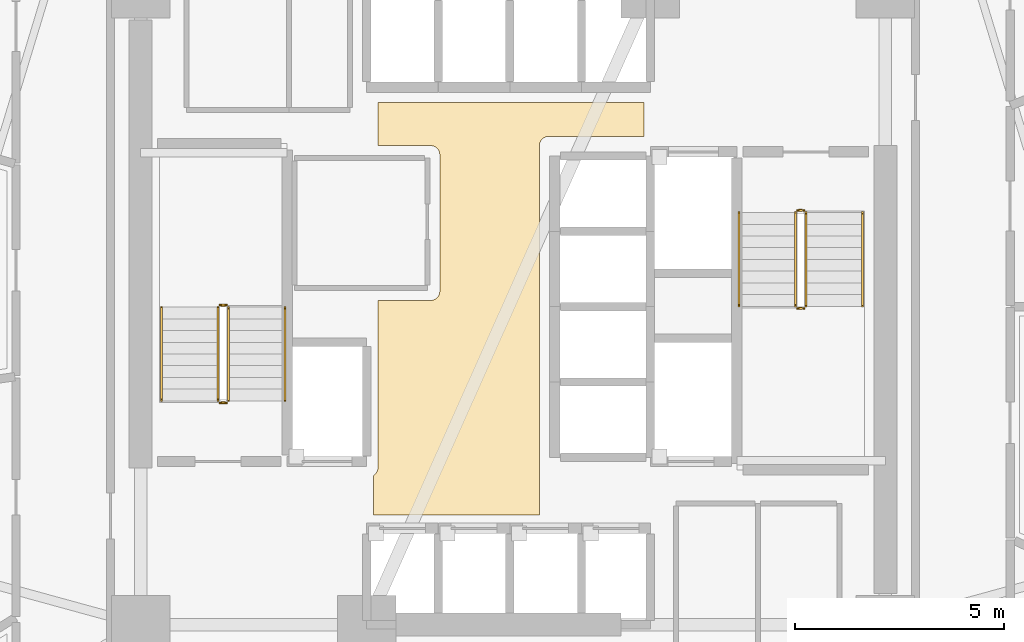
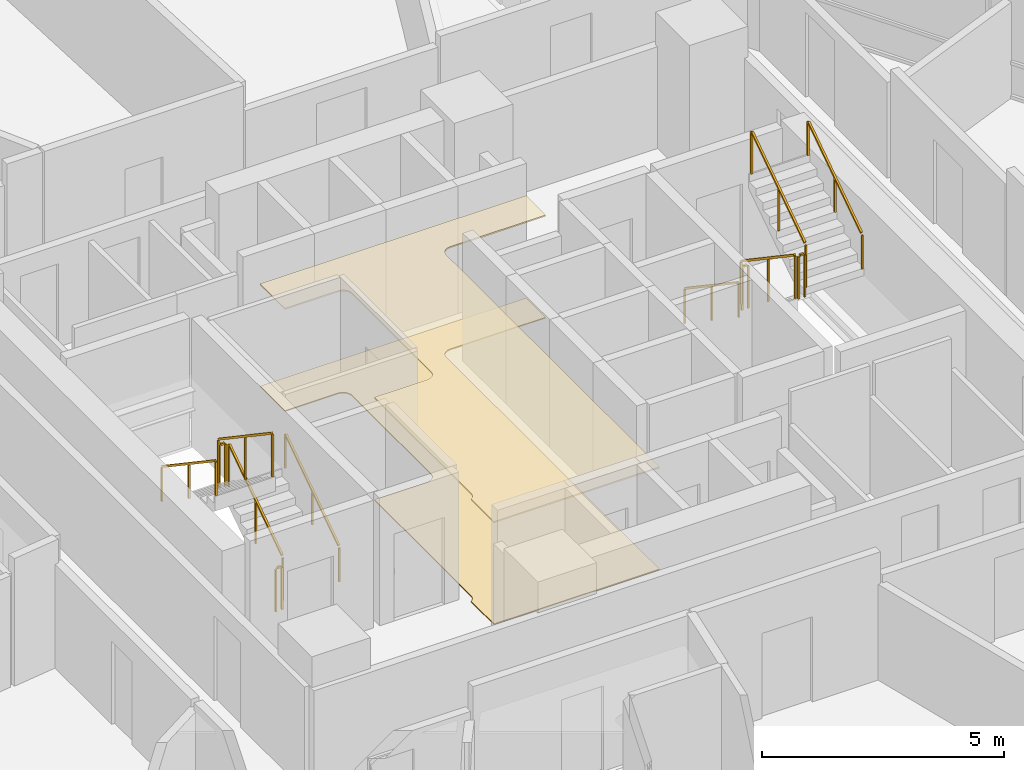
# One storey, part 15 of 16: 12 railings, 2 coverings.
"""IFC4 building model written with IfcOpenShell, lengths in metres."""

from ifc_helpers import new_model, si_unit, direction, frame, origin, origin_2d, place, context, subcontext, project, spatial, polyline, rectangle, outline, extrude, material, layer, layer_set, type_object, element, save


model = new_model("IFC4")

# Units and contexts
model_context = context("Model", 3, precision=1e-05, world=origin(), true_north=direction((0.0, 1.0)))
body_context = subcontext(model_context, "Body", "Model", "MODEL_VIEW")
ifc_project = project(units=[si_unit("LENGTHUNIT", "METRE"), si_unit("AREAUNIT", "SQUARE_METRE"), si_unit("VOLUMEUNIT", "CUBIC_METRE"), si_unit("PLANEANGLEUNIT", "RADIAN"), si_unit("MASSUNIT", "GRAM", prefix="KILO")], contexts=[model_context])

# Site, building, storey
site_placement = place(None, origin())
site = spatial("IfcSite", under=ifc_project, at=site_placement, CompositionType="ELEMENT")
building_placement = place(site_placement, origin())
building = spatial("IfcBuilding", under=site, at=building_placement, Name="Tharavind Bronze Gate", CompositionType="ELEMENT")
storey_placement = place(building_placement, frame((0.0, 0.0, 42.050048828125)))
storey = spatial("IfcBuildingStorey", under=building, at=storey_placement, Name="L09", CompositionType="ELEMENT", Elevation=42.050048828125)

# Coverings
ifc_material_1 = material(Name="Perforated Bronze Acoustic Panel", Category="bronze")
ifc_layer_1 = layer(ifc_material_1, 0.044921875)
ifc_layer_set_1 = layer_set([ifc_layer_1], Name="Perforated Bronze Acoustic Panel")
covering_type_1 = type_object("IfcCoveringType", Name="ACOUSTIC BRONZE BAFFLE CEILING", PredefinedType="CEILING", material=ifc_layer_set_1)
covering_1_placement = place(storey_placement, frame((0.0, 0.0, 2.574951171875)))
element("IfcCovering", 1, at=covering_1_placement, inside=storey, type_object=covering_type_1, Name="L09-C-LL suspended ceiling", PredefinedType="CEILING", context=body_context, shape_type="SweptSolid", body=[
    extrude(outline(polyline([(-3.330078125, -4.97998046875), (0.6298828125, -4.97998046875), (0.6298828125, 3.85009765625), (0.631103515625, 3.87158203125), (0.63427734375, 3.892822265625), (0.639404296875, 3.913818359375), (0.646728515625, 3.93408203125), (0.656005859375, 3.95361328125), (0.6669921875, 3.97216796875), (0.679931640625, 3.989501953125), (0.6943359375, 4.005615234375), (0.71044921875, 4.02001953125), (0.727783203125, 4.032958984375), (0.746337890625, 4.0439453125), (0.765869140625, 4.05322265625), (0.7861328125, 4.060546875), (0.80712890625, 4.06591796875), (0.828369140625, 4.06884765625), (0.85009765625, 4.070068359375), (3.1298828125, 4.070068359375), (3.1298828125, 4.8798828125), (-3.22998046875, 4.8798828125), (-3.22998046875, 3.85009765625), (-1.969970703125, 3.85009765625), (-1.948486328125, 3.848876953125), (-1.927001953125, 3.845703125), (-1.906005859375, 3.840576171875), (-1.8857421875, 3.833251953125), (-1.8662109375, 3.823974609375), (-1.847900390625, 3.81298828125), (-1.830322265625, 3.800048828125), (-1.814453125, 3.78564453125), (-1.7998046875, 3.76953125), (-1.787109375, 3.752197265625), (-1.77587890625, 3.733642578125), (-1.7666015625, 3.714111328125), (-1.759521484375, 3.69384765625), (-1.754150390625, 3.6728515625), (-1.751220703125, 3.651611328125), (-1.75, 3.6298828125), (-1.75, 0.3701171875), (-1.751220703125, 0.348388671875), (-1.754150390625, 0.3271484375), (-1.759521484375, 0.30615234375), (-1.7666015625, 0.285888671875), (-1.77587890625, 0.266357421875), (-1.787109375, 0.247802734375), (-1.7998046875, 0.23046875), (-1.814453125, 0.21435546875), (-1.830322265625, 0.199951171875), (-1.847900390625, 0.18701171875), (-1.8662109375, 0.176025390625), (-1.8857421875, 0.166748046875), (-1.906005859375, 0.159423828125), (-1.927001953125, 0.154296875), (-1.948486328125, 0.151123046875), (-1.969970703125, 0.14990234375), (-3.22998046875, 0.14990234375), (-3.22998046875, -3.85009765625), (-3.231201171875, -3.87158203125), (-3.234130859375, -3.892822265625), (-3.239501953125, -3.913818359375), (-3.24658203125, -3.93408203125), (-3.256103515625, -3.95361328125), (-3.26708984375, -3.97216796875), (-3.27978515625, -3.989501953125), (-3.29443359375, -4.005615234375), (-3.310302734375, -4.02001953125), (-3.327880859375, -4.032958984375), (-3.330078125, -4.0341796875), (-3.330078125, -4.97998046875)])), origin(), (0.0, 0.0, 1.0), 0.034912109375),
])
ifc_material_2 = material(Name="Honed Travertine Limestone", Category="masonry")
ifc_layer_2 = layer(ifc_material_2, 0.030029296875)
ifc_layer_set_2 = layer_set([ifc_layer_2], Name="Honed Travertine Limestone")
covering_type_2 = type_object("IfcCoveringType", Name="HONED LIMESTONE FLOORING", PredefinedType="FLOORING", material=ifc_layer_set_2)
covering_2_placement = place(storey_placement, origin())
element("IfcCovering", 2, at=covering_2_placement, inside=storey, type_object=covering_type_2, Name="L09-C-LL floor finish", PredefinedType="FLOORING", context=body_context, shape_type="SweptSolid", body=[
    extrude(outline(polyline([(-3.330078125, -4.97998046875), (0.6298828125, -4.97998046875), (0.6298828125, 3.85009765625), (0.631103515625, 3.87158203125), (0.63427734375, 3.892822265625), (0.639404296875, 3.913818359375), (0.646728515625, 3.93408203125), (0.656005859375, 3.95361328125), (0.6669921875, 3.97216796875), (0.679931640625, 3.989501953125), (0.6943359375, 4.005615234375), (0.71044921875, 4.02001953125), (0.727783203125, 4.032958984375), (0.746337890625, 4.0439453125), (0.765869140625, 4.05322265625), (0.7861328125, 4.060546875), (0.80712890625, 4.06591796875), (0.828369140625, 4.06884765625), (0.85009765625, 4.070068359375), (3.1298828125, 4.070068359375), (3.1298828125, 4.8798828125), (-3.22998046875, 4.8798828125), (-3.22998046875, 3.85009765625), (-1.969970703125, 3.85009765625), (-1.948486328125, 3.848876953125), (-1.927001953125, 3.845703125), (-1.906005859375, 3.840576171875), (-1.8857421875, 3.833251953125), (-1.8662109375, 3.823974609375), (-1.847900390625, 3.81298828125), (-1.830322265625, 3.800048828125), (-1.814453125, 3.78564453125), (-1.7998046875, 3.76953125), (-1.787109375, 3.752197265625), (-1.77587890625, 3.733642578125), (-1.7666015625, 3.714111328125), (-1.759521484375, 3.69384765625), (-1.754150390625, 3.6728515625), (-1.751220703125, 3.651611328125), (-1.75, 3.6298828125), (-1.75, 0.3701171875), (-1.751220703125, 0.348388671875), (-1.754150390625, 0.3271484375), (-1.759521484375, 0.30615234375), (-1.7666015625, 0.285888671875), (-1.77587890625, 0.266357421875), (-1.787109375, 0.247802734375), (-1.7998046875, 0.23046875), (-1.814453125, 0.21435546875), (-1.830322265625, 0.199951171875), (-1.847900390625, 0.18701171875), (-1.8662109375, 0.176025390625), (-1.8857421875, 0.166748046875), (-1.906005859375, 0.159423828125), (-1.927001953125, 0.154296875), (-1.948486328125, 0.151123046875), (-1.969970703125, 0.14990234375), (-3.22998046875, 0.14990234375), (-3.22998046875, -3.85009765625), (-3.231201171875, -3.87158203125), (-3.234130859375, -3.892822265625), (-3.239501953125, -3.913818359375), (-3.24658203125, -3.93408203125), (-3.256103515625, -3.95361328125), (-3.26708984375, -3.97216796875), (-3.27978515625, -3.989501953125), (-3.29443359375, -4.005615234375), (-3.310302734375, -4.02001953125), (-3.327880859375, -4.032958984375), (-3.330078125, -4.0341796875), (-3.330078125, -4.97998046875)])), origin(), (0.0, 0.0, 1.0), 0.02490234375),
])

# Railings
ifc_material_3 = material(Name="Brushed Bronze Alloy", Category="metal")
railing_type_1 = type_object("IfcRailingType", Name="STAIR BRONZE HANDRAIL 900", PredefinedType="HANDRAIL", material=ifc_material_3)
railing_1_placement = place(storey_placement, frame((-5.449951171875, -2.25, 0.188720703125)))
element("IfcRailing", 3, at=railing_1_placement, inside=storey, type_object=railing_type_1, Name="L09 ST1 stair handrail 1", PredefinedType="HANDRAIL", context=body_context, shape_type="SweptSolid", body=[
    extrude(rectangle(XDim=0.048095703125, YDim=0.048095703125, at=origin_2d()), frame((0.0, 0.026611328125, 0.893798828125), z_axis=(0.0, 0.828979582247, 0.559278868023), x_axis=(-1.0, 0.0, 0.0)), (0.0, 0.0, 1.0), 2.63818359375),
    extrude(rectangle(XDim=0.0400390625, YDim=0.0400390625, at=origin_2d()), origin(), (0.0, 0.0, 1.0), 0.847900390625),
    extrude(rectangle(XDim=0.0400390625, YDim=0.0400390625, at=origin_2d()), frame((0.0, 1.1201171875, 0.755615234375)), (0.0, 0.0, 1.0), 0.847900390625),
    extrude(rectangle(XDim=0.0400390625, YDim=0.0400390625, at=origin_2d()), frame((0.0, 2.239990234375, 1.51123046875)), (0.0, 0.0, 1.0), 0.847900390625),
])
railing_2_placement = place(storey_placement, frame((-8.39990234375, -0.010009765625, 1.888916015625)))
element("IfcRailing", 4, at=railing_2_placement, inside=storey, type_object=railing_type_1, Name="L09 ST1 stair handrail 2", PredefinedType="HANDRAIL", context=body_context, shape_type="SweptSolid", body=[
    extrude(rectangle(XDim=0.048095703125, YDim=0.048095703125, at=origin_2d()), frame((0.0, -0.026611328125, 0.893798828125), z_axis=(0.0, -0.829021472004, 0.559216772778), x_axis=(1.0, 0.0, 0.0)), (0.0, 0.0, 1.0), 2.637939453125),
    extrude(rectangle(XDim=0.0400390625, YDim=0.0400390625, at=origin_2d()), origin(), (0.0, 0.0, 1.0), 0.847900390625),
    extrude(rectangle(XDim=0.0400390625, YDim=0.0400390625, at=origin_2d()), frame((0.0, -1.1201171875, 0.75537109375)), (0.0, 0.0, 1.0), 0.847900390625),
    extrude(rectangle(XDim=0.0400390625, YDim=0.0400390625, at=origin_2d()), frame((0.0, -2.239990234375, 1.510986328125)), (0.0, 0.0, 1.0), 0.847900390625),
])
railing_3_placement = place(storey_placement, frame((5.39990234375, 2.25, 0.188720703125)))
element("IfcRailing", 5, at=railing_3_placement, inside=storey, type_object=railing_type_1, Name="L09 ST2 stair handrail 1", PredefinedType="HANDRAIL", context=body_context, shape_type="SweptSolid", body=[
    extrude(rectangle(XDim=0.048095703125, YDim=0.048095703125, at=origin_2d()), frame((0.0, -0.026611328125, 0.893798828125), z_axis=(0.0, -0.828979582247, 0.559278868023), x_axis=(1.0, 0.0, 0.0)), (0.0, 0.0, 1.0), 2.63818359375),
    extrude(rectangle(XDim=0.0400390625, YDim=0.0400390625, at=origin_2d()), origin(), (0.0, 0.0, 1.0), 0.847900390625),
    extrude(rectangle(XDim=0.0400390625, YDim=0.0400390625, at=origin_2d()), frame((0.0, -1.1201171875, 0.755615234375)), (0.0, 0.0, 1.0), 0.847900390625),
    extrude(rectangle(XDim=0.0400390625, YDim=0.0400390625, at=origin_2d()), frame((0.0, -2.239990234375, 1.51123046875)), (0.0, 0.0, 1.0), 0.847900390625),
])
railing_4_placement = place(storey_placement, frame((8.35009765625, 0.010009765625, 1.888916015625)))
element("IfcRailing", 6, at=railing_4_placement, inside=storey, type_object=railing_type_1, Name="L09 ST2 stair handrail 2", PredefinedType="HANDRAIL", context=body_context, shape_type="SweptSolid", body=[
    extrude(rectangle(XDim=0.048095703125, YDim=0.048095703125, at=origin_2d()), frame((0.0, 0.026611328125, 0.893798828125), z_axis=(0.0, 0.829021472004, 0.559216772778), x_axis=(-1.0, 0.0, 0.0)), (0.0, 0.0, 1.0), 2.637939453125),
    extrude(rectangle(XDim=0.0400390625, YDim=0.0400390625, at=origin_2d()), origin(), (0.0, 0.0, 1.0), 0.847900390625),
    extrude(rectangle(XDim=0.0400390625, YDim=0.0400390625, at=origin_2d()), frame((0.0, 1.1201171875, 0.75537109375)), (0.0, 0.0, 1.0), 0.847900390625),
    extrude(rectangle(XDim=0.0400390625, YDim=0.0400390625, at=origin_2d()), frame((0.0, 2.239990234375, 1.510986328125)), (0.0, 0.0, 1.0), 0.847900390625),
])
railing_type_2 = type_object("IfcRailingType", Name="STAIR WELL GUARD RAILING 1120", PredefinedType="GUARDRAIL", material=ifc_material_3)
railing_5_placement = place(storey_placement, frame((-6.800048828125, -2.25, 0.188720703125)))
element("IfcRailing", 7, at=railing_5_placement, inside=storey, type_object=railing_type_2, Name="L09 ST1 stair guard 1", PredefinedType="GUARDRAIL", context=body_context, shape_type="SweptSolid", body=[
    extrude(rectangle(XDim=0.048095703125, YDim=0.048095703125, at=origin_2d()), frame((0.0, 0.026611328125, 1.114013671875), z_axis=(0.0, 0.828979582247, 0.559278868023), x_axis=(-1.0, 0.0, 0.0)), (0.0, 0.0, 1.0), 2.63818359375),
    extrude(rectangle(XDim=0.0400390625, YDim=0.0400390625, at=origin_2d()), origin(), (0.0, 0.0, 1.0), 1.068115234375),
    extrude(rectangle(XDim=0.0400390625, YDim=0.0400390625, at=origin_2d()), frame((0.0, 1.1201171875, 0.755615234375)), (0.0, 0.0, 1.0), 1.068115234375),
    extrude(rectangle(XDim=0.0400390625, YDim=0.0400390625, at=origin_2d()), frame((0.0, 2.239990234375, 1.51123046875)), (0.0, 0.0, 1.0), 1.068115234375),
])
railing_6_placement = place(storey_placement, frame((-6.85009765625, 0.0400390625, 1.699951171875)))
element("IfcRailing", 8, at=railing_6_placement, inside=storey, type_object=railing_type_2, Name="L09 ST1 stair guard 2", PredefinedType="GUARDRAIL", context=body_context, shape_type="SweptSolid", body=[
    extrude(rectangle(XDim=0.048095703125, YDim=0.048095703125, at=origin_2d()), frame((-0.031982421875, 0.0, 1.09619140625), z_axis=(-1.0, 0.0, 0.0), x_axis=(0.0, -1.0, 0.0)), (0.0, 0.0, 1.0), 0.0859375),
    extrude(rectangle(XDim=0.0400390625, YDim=0.0400390625, at=origin_2d()), origin(), (0.0, 0.0, 1.0), 1.068115234375),
    extrude(rectangle(XDim=0.0400390625, YDim=0.0400390625, at=origin_2d()), frame((-0.14990234375, 0.0, 0.0)), (0.0, 0.0, 1.0), 1.068115234375),
])
railing_7_placement = place(storey_placement, frame((-7.050048828125, -0.010009765625, 1.888916015625)))
element("IfcRailing", 9, at=railing_7_placement, inside=storey, type_object=railing_type_2, Name="L09 ST1 stair guard 3", PredefinedType="GUARDRAIL", context=body_context, shape_type="SweptSolid", body=[
    extrude(rectangle(XDim=0.048095703125, YDim=0.048095703125, at=origin_2d()), frame((0.0, -0.026611328125, 1.114013671875), z_axis=(0.0, -0.829021472004, 0.559216772778), x_axis=(1.0, 0.0, 0.0)), (0.0, 0.0, 1.0), 2.637939453125),
    extrude(rectangle(XDim=0.0400390625, YDim=0.0400390625, at=origin_2d()), origin(), (0.0, 0.0, 1.0), 1.068115234375),
    extrude(rectangle(XDim=0.0400390625, YDim=0.0400390625, at=origin_2d()), frame((0.0, -1.1201171875, 0.75537109375)), (0.0, 0.0, 1.0), 1.068115234375),
    extrude(rectangle(XDim=0.0400390625, YDim=0.0400390625, at=origin_2d()), frame((0.0, -2.239990234375, 1.510986328125)), (0.0, 0.0, 1.0), 1.068115234375),
])
railing_8_placement = place(storey_placement, frame((-6.85009765625, -2.300048828125, 0.0)))
element("IfcRailing", 10, at=railing_8_placement, inside=storey, type_object=railing_type_2, Name="L09 ST1 stair guard 4", PredefinedType="GUARDRAIL", context=body_context, shape_type="SweptSolid", body=[
    extrude(rectangle(XDim=0.048095703125, YDim=0.048095703125, at=origin_2d()), frame((-0.031982421875, 0.0, 1.09619140625), z_axis=(-1.0, 0.0, 0.0), x_axis=(0.0, -1.0, 0.0)), (0.0, 0.0, 1.0), 0.0859375),
    extrude(rectangle(XDim=0.0400390625, YDim=0.0400390625, at=origin_2d()), origin(), (0.0, 0.0, 1.0), 1.068115234375),
    extrude(rectangle(XDim=0.0400390625, YDim=0.0400390625, at=origin_2d()), frame((-0.14990234375, 0.0, 0.0)), (0.0, 0.0, 1.0), 1.068115234375),
])
railing_9_placement = place(storey_placement, frame((6.75, 2.25, 0.188720703125)))
element("IfcRailing", 11, at=railing_9_placement, inside=storey, type_object=railing_type_2, Name="L09 ST2 stair guard 1", PredefinedType="GUARDRAIL", context=body_context, shape_type="SweptSolid", body=[
    extrude(rectangle(XDim=0.048095703125, YDim=0.048095703125, at=origin_2d()), frame((0.0, -0.026611328125, 1.114013671875), z_axis=(0.0, -0.828979582247, 0.559278868023), x_axis=(1.0, 0.0, 0.0)), (0.0, 0.0, 1.0), 2.63818359375),
    extrude(rectangle(XDim=0.0400390625, YDim=0.0400390625, at=origin_2d()), origin(), (0.0, 0.0, 1.0), 1.068115234375),
    extrude(rectangle(XDim=0.0400390625, YDim=0.0400390625, at=origin_2d()), frame((0.0, -1.1201171875, 0.755615234375)), (0.0, 0.0, 1.0), 1.068115234375),
    extrude(rectangle(XDim=0.0400390625, YDim=0.0400390625, at=origin_2d()), frame((0.0, -2.239990234375, 1.51123046875)), (0.0, 0.0, 1.0), 1.068115234375),
])
railing_10_placement = place(storey_placement, frame((6.800048828125, -0.0400390625, 1.699951171875)))
element("IfcRailing", 12, at=railing_10_placement, inside=storey, type_object=railing_type_2, Name="L09 ST2 stair guard 2", PredefinedType="GUARDRAIL", context=body_context, shape_type="SweptSolid", body=[
    extrude(rectangle(XDim=0.048095703125, YDim=0.048095703125, at=origin_2d()), frame((0.031982421875, 0.0, 1.09619140625), z_axis=(1.0, 0.0, 0.0), x_axis=(0.0, 1.0, 0.0)), (0.0, 0.0, 1.0), 0.0859375),
    extrude(rectangle(XDim=0.0400390625, YDim=0.0400390625, at=origin_2d()), origin(), (0.0, 0.0, 1.0), 1.068115234375),
    extrude(rectangle(XDim=0.0400390625, YDim=0.0400390625, at=origin_2d()), frame((0.14990234375, 0.0, 0.0)), (0.0, 0.0, 1.0), 1.068115234375),
])
railing_11_placement = place(storey_placement, frame((7.0, 0.010009765625, 1.888916015625)))
element("IfcRailing", 13, at=railing_11_placement, inside=storey, type_object=railing_type_2, Name="L09 ST2 stair guard 3", PredefinedType="GUARDRAIL", context=body_context, shape_type="SweptSolid", body=[
    extrude(rectangle(XDim=0.048095703125, YDim=0.048095703125, at=origin_2d()), frame((0.0, 0.026611328125, 1.114013671875), z_axis=(0.0, 0.829021472004, 0.559216772778), x_axis=(-1.0, 0.0, 0.0)), (0.0, 0.0, 1.0), 2.637939453125),
    extrude(rectangle(XDim=0.0400390625, YDim=0.0400390625, at=origin_2d()), origin(), (0.0, 0.0, 1.0), 1.068115234375),
    extrude(rectangle(XDim=0.0400390625, YDim=0.0400390625, at=origin_2d()), frame((0.0, 1.1201171875, 0.75537109375)), (0.0, 0.0, 1.0), 1.068115234375),
    extrude(rectangle(XDim=0.0400390625, YDim=0.0400390625, at=origin_2d()), frame((0.0, 2.239990234375, 1.510986328125)), (0.0, 0.0, 1.0), 1.068115234375),
])
railing_12_placement = place(storey_placement, frame((6.800048828125, 2.300048828125, 0.0)))
element("IfcRailing", 14, at=railing_12_placement, inside=storey, type_object=railing_type_2, Name="L09 ST2 stair guard 4", PredefinedType="GUARDRAIL", context=body_context, shape_type="SweptSolid", body=[
    extrude(rectangle(XDim=0.048095703125, YDim=0.048095703125, at=origin_2d()), frame((0.031982421875, 0.0, 1.09619140625), z_axis=(1.0, 0.0, 0.0), x_axis=(0.0, 1.0, 0.0)), (0.0, 0.0, 1.0), 0.0859375),
    extrude(rectangle(XDim=0.0400390625, YDim=0.0400390625, at=origin_2d()), origin(), (0.0, 0.0, 1.0), 1.068115234375),
    extrude(rectangle(XDim=0.0400390625, YDim=0.0400390625, at=origin_2d()), frame((0.14990234375, 0.0, 0.0)), (0.0, 0.0, 1.0), 1.068115234375),
])

save(model, "model.ifc")
